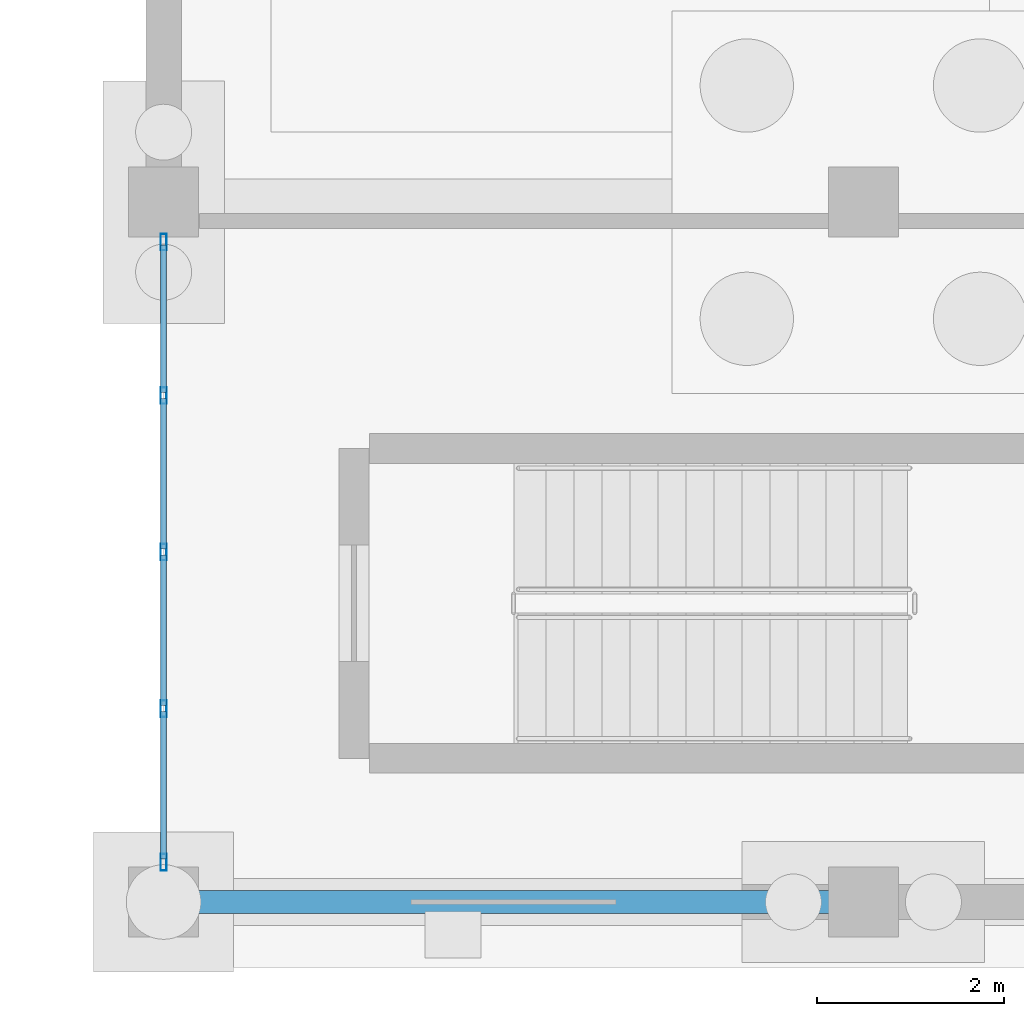
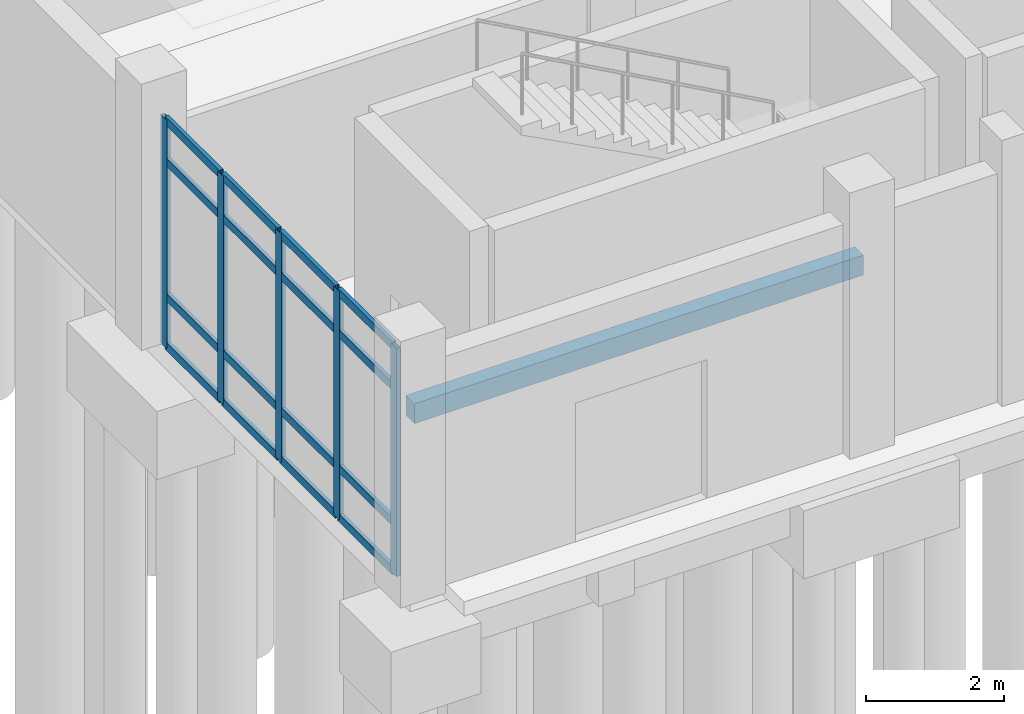
# One storey, part 23 of 173: 21 members, 1 beam, 1 element without a shape of its own.
"""IFC4 building model written with IfcOpenShell, lengths in metres."""

from ifc_helpers import new_model, si_unit, direction, frame, origin, origin_2d, place, context, subcontext, project, spatial, rectangle, hollow_rectangle, extrude, material, layer, layer_set, material_profile, profile_set, type_object, element, aggregate, save


model = new_model("IFC4")

# Units and contexts
model_context = context("Model", 3, precision=1e-05, world=origin(), true_north=direction((0.0, 1.0)))
body_context = subcontext(model_context, "Body", "Model", "MODEL_VIEW")
ifc_project = project(units=[si_unit("LENGTHUNIT", "METRE"), si_unit("AREAUNIT", "SQUARE_METRE"), si_unit("VOLUMEUNIT", "CUBIC_METRE"), si_unit("PLANEANGLEUNIT", "RADIAN"), si_unit("MASSUNIT", "GRAM", prefix="KILO")], contexts=[model_context])

# Site, building, storey
site_placement = place(None, origin())
site = spatial("IfcSite", under=ifc_project, at=site_placement, CompositionType="ELEMENT")
building_placement = place(site_placement, origin())
building = spatial("IfcBuilding", under=site, at=building_placement, Name="Mawjan Specialist Oncology Clinic", CompositionType="ELEMENT")
storey_placement = place(building_placement, origin())
storey = spatial("IfcBuildingStorey", under=building, at=storey_placement, Name="L00", CompositionType="ELEMENT", Elevation=0.0)

# Curtain wall, members
ifc_material_1 = material(Name="Unitised spectrally selective aluminium curtain wall", Category="aluminium")
ifc_layer = layer(ifc_material_1, 0.179931640625, Name="Unitised spectrally selective aluminium curtain wall", Category="aluminium")
ifc_layer_set = layer_set([ifc_layer], Name="Unitised spectrally selective aluminium curtain wall")
curtain_wall_type = type_object("IfcCurtainWallType", Name="CW-02", PredefinedType="NOTDEFINED", material=ifc_layer_set)
curtain_wall_placement = place(storey_placement, origin())
curtain_wall = element("IfcCurtainWall", 1, at=curtain_wall_placement, inside=storey, type_object=curtain_wall_type, Name="L00 Unitised Curtain Wall CW-L00-002", PredefinedType="NOTDEFINED")
ifc_material_2 = material(Name="Thermally broken aluminium 6063-T6", Category="aluminium")
ifc_material_profile_1 = material_profile(ifc_material_2, hollow_rectangle(XDim=0.06494140625, YDim=0.179931640625, WallThickness=0.00390625, at=origin_2d()), Name="ALU MULLION 180x65x4", Category="aluminium")
ifc_profile_set_1 = profile_set([ifc_material_profile_1], Name="Thermally broken aluminium 6063-T6")
member_type_1 = type_object("IfcMemberType", Name="CW-M180", PredefinedType="MULLION", material=ifc_profile_set_1)
member_1_placement = place(storey_placement, frame((0.0, 1.2275390625, 0.0), z_axis=(0.0, 0.0, 1.0), x_axis=(-1.0, 0.0, 0.0)))
member_1 = element("IfcMember", 2, at=member_1_placement, type_object=member_type_1, Name="CW-02 mullion 1", PredefinedType="MULLION", context=body_context, shape_type="SweptSolid", body=[
    extrude(hollow_rectangle(XDim=0.06494140625, YDim=0.179931640625, WallThickness=0.00390625, at=origin_2d()), origin(), (0.0, 0.0, 1.0), 4.034912109375),
])
member_2_placement = place(storey_placement, frame((0.0, 2.87255859375, 0.0), z_axis=(0.0, 0.0, 1.0), x_axis=(-1.0, 0.0, 0.0)))
member_2 = element("IfcMember", 3, at=member_2_placement, type_object=member_type_1, Name="CW-02 mullion 2", PredefinedType="MULLION", context=body_context, shape_type="SweptSolid", body=[
    extrude(hollow_rectangle(XDim=0.06494140625, YDim=0.179931640625, WallThickness=0.00390625, at=origin_2d()), origin(), (0.0, 0.0, 1.0), 4.034912109375),
])
member_3_placement = place(storey_placement, frame((0.0, 4.550048828125, 0.0), z_axis=(0.0, 0.0, 1.0), x_axis=(-1.0, 0.0, 0.0)))
member_3 = element("IfcMember", 4, at=member_3_placement, type_object=member_type_1, Name="CW-02 mullion 3", PredefinedType="MULLION", context=body_context, shape_type="SweptSolid", body=[
    extrude(hollow_rectangle(XDim=0.06494140625, YDim=0.179931640625, WallThickness=0.00390625, at=origin_2d()), origin(), (0.0, 0.0, 1.0), 4.034912109375),
])
member_4_placement = place(storey_placement, frame((0.0, 6.2275390625, 0.0), z_axis=(0.0, 0.0, 1.0), x_axis=(-1.0, 0.0, 0.0)))
member_4 = element("IfcMember", 5, at=member_4_placement, type_object=member_type_1, Name="CW-02 mullion 4", PredefinedType="MULLION", context=body_context, shape_type="SweptSolid", body=[
    extrude(hollow_rectangle(XDim=0.06494140625, YDim=0.179931640625, WallThickness=0.00390625, at=origin_2d()), origin(), (0.0, 0.0, 1.0), 4.034912109375),
])
member_5_placement = place(storey_placement, frame((0.0, 7.87255859375, 0.0), z_axis=(0.0, 0.0, 1.0), x_axis=(-1.0, 0.0, 0.0)))
member_5 = element("IfcMember", 6, at=member_5_placement, type_object=member_type_1, Name="CW-02 mullion 5", PredefinedType="MULLION", context=body_context, shape_type="SweptSolid", body=[
    extrude(hollow_rectangle(XDim=0.06494140625, YDim=0.179931640625, WallThickness=0.00390625, at=origin_2d()), origin(), (0.0, 0.0, 1.0), 4.034912109375),
])
ifc_material_3 = material(Name="Thermally broken aluminium 6063-T6", Category="aluminium")
ifc_material_profile_2 = material_profile(ifc_material_3, hollow_rectangle(XDim=0.06494140625, YDim=0.139892578125, WallThickness=0.00390625, at=origin_2d()), Name="ALU TRANSOM 140x65x4", Category="aluminium")
ifc_profile_set_2 = profile_set([ifc_material_profile_2], Name="Thermally broken aluminium 6063-T6")
member_type_2 = type_object("IfcMemberType", Name="CW-T140", PredefinedType="USERDEFINED", material=ifc_profile_set_2)
member_6_placement = place(storey_placement, frame((0.0, 1.260009765625, 0.032470703125), z_axis=(0.0, 1.0, 0.0), x_axis=(-1.0, 0.0, 0.0)))
member_6 = element("IfcMember", 7, at=member_6_placement, type_object=member_type_2, Name="CW-02 transom 1.1", ObjectType="TRANSOM", PredefinedType="USERDEFINED", context=body_context, shape_type="SweptSolid", body=[
    extrude(hollow_rectangle(XDim=0.06494140625, YDim=0.139892578125, WallThickness=0.00390625, at=origin_2d()), origin(), (0.0, 0.0, 1.0), 1.580078125),
])
member_7_placement = place(storey_placement, frame((0.0, 1.260009765625, 0.89990234375), z_axis=(0.0, 1.0, 0.0), x_axis=(-1.0, 0.0, 0.0)))
member_7 = element("IfcMember", 8, at=member_7_placement, type_object=member_type_2, Name="CW-02 transom 1.2", ObjectType="TRANSOM", PredefinedType="USERDEFINED", context=body_context, shape_type="SweptSolid", body=[
    extrude(hollow_rectangle(XDim=0.06494140625, YDim=0.139892578125, WallThickness=0.00390625, at=origin_2d()), origin(), (0.0, 0.0, 1.0), 1.580078125),
])
member_8_placement = place(storey_placement, frame((0.0, 1.260009765625, 3.284912109375), z_axis=(0.0, 1.0, 0.0), x_axis=(-1.0, 0.0, 0.0)))
member_8 = element("IfcMember", 9, at=member_8_placement, type_object=member_type_2, Name="CW-02 transom 1.3", ObjectType="TRANSOM", PredefinedType="USERDEFINED", context=body_context, shape_type="SweptSolid", body=[
    extrude(hollow_rectangle(XDim=0.06494140625, YDim=0.139892578125, WallThickness=0.00390625, at=origin_2d()), origin(), (0.0, 0.0, 1.0), 1.580078125),
])
member_9_placement = place(storey_placement, frame((0.0, 1.260009765625, 4.00244140625), z_axis=(0.0, 1.0, 0.0), x_axis=(-1.0, 0.0, 0.0)))
member_9 = element("IfcMember", 10, at=member_9_placement, type_object=member_type_2, Name="CW-02 transom 1.4", ObjectType="TRANSOM", PredefinedType="USERDEFINED", context=body_context, shape_type="SweptSolid", body=[
    extrude(hollow_rectangle(XDim=0.06494140625, YDim=0.139892578125, WallThickness=0.00390625, at=origin_2d()), origin(), (0.0, 0.0, 1.0), 1.580078125),
])
member_10_placement = place(storey_placement, frame((0.0, 2.905029296875, 0.032470703125), z_axis=(0.0, 1.0, 0.0), x_axis=(-1.0, 0.0, 0.0)))
member_10 = element("IfcMember", 11, at=member_10_placement, type_object=member_type_2, Name="CW-02 transom 2.1", ObjectType="TRANSOM", PredefinedType="USERDEFINED", context=body_context, shape_type="SweptSolid", body=[
    extrude(hollow_rectangle(XDim=0.06494140625, YDim=0.139892578125, WallThickness=0.00390625, at=origin_2d()), origin(), (0.0, 0.0, 1.0), 1.612548828125),
])
member_11_placement = place(storey_placement, frame((0.0, 2.905029296875, 0.89990234375), z_axis=(0.0, 1.0, 0.0), x_axis=(-1.0, 0.0, 0.0)))
member_11 = element("IfcMember", 12, at=member_11_placement, type_object=member_type_2, Name="CW-02 transom 2.2", ObjectType="TRANSOM", PredefinedType="USERDEFINED", context=body_context, shape_type="SweptSolid", body=[
    extrude(hollow_rectangle(XDim=0.06494140625, YDim=0.139892578125, WallThickness=0.00390625, at=origin_2d()), origin(), (0.0, 0.0, 1.0), 1.612548828125),
])
member_12_placement = place(storey_placement, frame((0.0, 2.905029296875, 3.284912109375), z_axis=(0.0, 1.0, 0.0), x_axis=(-1.0, 0.0, 0.0)))
member_12 = element("IfcMember", 13, at=member_12_placement, type_object=member_type_2, Name="CW-02 transom 2.3", ObjectType="TRANSOM", PredefinedType="USERDEFINED", context=body_context, shape_type="SweptSolid", body=[
    extrude(hollow_rectangle(XDim=0.06494140625, YDim=0.139892578125, WallThickness=0.00390625, at=origin_2d()), origin(), (0.0, 0.0, 1.0), 1.612548828125),
])
member_13_placement = place(storey_placement, frame((0.0, 2.905029296875, 4.00244140625), z_axis=(0.0, 1.0, 0.0), x_axis=(-1.0, 0.0, 0.0)))
member_13 = element("IfcMember", 14, at=member_13_placement, type_object=member_type_2, Name="CW-02 transom 2.4", ObjectType="TRANSOM", PredefinedType="USERDEFINED", context=body_context, shape_type="SweptSolid", body=[
    extrude(hollow_rectangle(XDim=0.06494140625, YDim=0.139892578125, WallThickness=0.00390625, at=origin_2d()), origin(), (0.0, 0.0, 1.0), 1.612548828125),
])
member_14_placement = place(storey_placement, frame((0.0, 4.58251953125, 0.032470703125), z_axis=(0.0, 1.0, 0.0), x_axis=(-1.0, 0.0, 0.0)))
member_14 = element("IfcMember", 15, at=member_14_placement, type_object=member_type_2, Name="CW-02 transom 3.1", ObjectType="TRANSOM", PredefinedType="USERDEFINED", context=body_context, shape_type="SweptSolid", body=[
    extrude(hollow_rectangle(XDim=0.06494140625, YDim=0.139892578125, WallThickness=0.00390625, at=origin_2d()), origin(), (0.0, 0.0, 1.0), 1.612548828125),
])
member_15_placement = place(storey_placement, frame((0.0, 4.58251953125, 0.89990234375), z_axis=(0.0, 1.0, 0.0), x_axis=(-1.0, 0.0, 0.0)))
member_15 = element("IfcMember", 16, at=member_15_placement, type_object=member_type_2, Name="CW-02 transom 3.2", ObjectType="TRANSOM", PredefinedType="USERDEFINED", context=body_context, shape_type="SweptSolid", body=[
    extrude(hollow_rectangle(XDim=0.06494140625, YDim=0.139892578125, WallThickness=0.00390625, at=origin_2d()), origin(), (0.0, 0.0, 1.0), 1.612548828125),
])
member_16_placement = place(storey_placement, frame((0.0, 4.58251953125, 3.284912109375), z_axis=(0.0, 1.0, 0.0), x_axis=(-1.0, 0.0, 0.0)))
member_16 = element("IfcMember", 17, at=member_16_placement, type_object=member_type_2, Name="CW-02 transom 3.3", ObjectType="TRANSOM", PredefinedType="USERDEFINED", context=body_context, shape_type="SweptSolid", body=[
    extrude(hollow_rectangle(XDim=0.06494140625, YDim=0.139892578125, WallThickness=0.00390625, at=origin_2d()), origin(), (0.0, 0.0, 1.0), 1.612548828125),
])
member_17_placement = place(storey_placement, frame((0.0, 4.58251953125, 4.00244140625), z_axis=(0.0, 1.0, 0.0), x_axis=(-1.0, 0.0, 0.0)))
member_17 = element("IfcMember", 18, at=member_17_placement, type_object=member_type_2, Name="CW-02 transom 3.4", ObjectType="TRANSOM", PredefinedType="USERDEFINED", context=body_context, shape_type="SweptSolid", body=[
    extrude(hollow_rectangle(XDim=0.06494140625, YDim=0.139892578125, WallThickness=0.00390625, at=origin_2d()), origin(), (0.0, 0.0, 1.0), 1.612548828125),
])
member_18_placement = place(storey_placement, frame((0.0, 6.260009765625, 0.032470703125), z_axis=(0.0, 1.0, 0.0), x_axis=(-1.0, 0.0, 0.0)))
member_18 = element("IfcMember", 19, at=member_18_placement, type_object=member_type_2, Name="CW-02 transom 4.1", ObjectType="TRANSOM", PredefinedType="USERDEFINED", context=body_context, shape_type="SweptSolid", body=[
    extrude(hollow_rectangle(XDim=0.06494140625, YDim=0.139892578125, WallThickness=0.00390625, at=origin_2d()), origin(), (0.0, 0.0, 1.0), 1.580078125),
])
member_19_placement = place(storey_placement, frame((0.0, 6.260009765625, 0.89990234375), z_axis=(0.0, 1.0, 0.0), x_axis=(-1.0, 0.0, 0.0)))
member_19 = element("IfcMember", 20, at=member_19_placement, type_object=member_type_2, Name="CW-02 transom 4.2", ObjectType="TRANSOM", PredefinedType="USERDEFINED", context=body_context, shape_type="SweptSolid", body=[
    extrude(hollow_rectangle(XDim=0.06494140625, YDim=0.139892578125, WallThickness=0.00390625, at=origin_2d()), origin(), (0.0, 0.0, 1.0), 1.580078125),
])
member_20_placement = place(storey_placement, frame((0.0, 6.260009765625, 3.284912109375), z_axis=(0.0, 1.0, 0.0), x_axis=(-1.0, 0.0, 0.0)))
member_20 = element("IfcMember", 21, at=member_20_placement, type_object=member_type_2, Name="CW-02 transom 4.3", ObjectType="TRANSOM", PredefinedType="USERDEFINED", context=body_context, shape_type="SweptSolid", body=[
    extrude(hollow_rectangle(XDim=0.06494140625, YDim=0.139892578125, WallThickness=0.00390625, at=origin_2d()), origin(), (0.0, 0.0, 1.0), 1.580078125),
])
member_21_placement = place(storey_placement, frame((0.0, 6.260009765625, 4.00244140625), z_axis=(0.0, 1.0, 0.0), x_axis=(-1.0, 0.0, 0.0)))
member_21 = element("IfcMember", 22, at=member_21_placement, type_object=member_type_2, Name="CW-02 transom 4.4", ObjectType="TRANSOM", PredefinedType="USERDEFINED", context=body_context, shape_type="SweptSolid", body=[
    extrude(hollow_rectangle(XDim=0.06494140625, YDim=0.139892578125, WallThickness=0.00390625, at=origin_2d()), origin(), (0.0, 0.0, 1.0), 1.580078125),
])
aggregate(curtain_wall, [member_1, member_2, member_3, member_4, member_5, member_6, member_7, member_8, member_9, member_10, member_11, member_12, member_13, member_14, member_15, member_16, member_17, member_18, member_19, member_20, member_21])

# Beam
ifc_material_4 = material(Name="Concrete C40/50", Category="concrete")
ifc_material_profile_3 = material_profile(ifc_material_4, rectangle(XDim=0.25, YDim=0.35009765625, at=origin_2d()), Name="RC LINTEL 250x350", Category="concrete")
ifc_profile_set_3 = profile_set([ifc_material_profile_3], Name="Concrete C40/50")
beam_type = type_object("IfcBeamType", Name="LNT-250", PredefinedType="LINTEL", material=ifc_profile_set_3)
beam_placement = place(storey_placement, frame((0.0, 0.800048828125, 3.14990234375), z_axis=(1.0, 0.0, 0.0), x_axis=(0.0, 1.0, 0.0)))
element("IfcBeam", 23, at=beam_placement, inside=storey, type_object=beam_type, Name="L00 Reinforced Concrete Lintel 1", PredefinedType="LINTEL", context=body_context, shape_type="SweptSolid", body=[
    extrude(rectangle(XDim=0.25, YDim=0.35009765625, at=origin_2d()), origin(), (0.0, 0.0, 1.0), 7.5),
])

save(model, "model.ifc")
